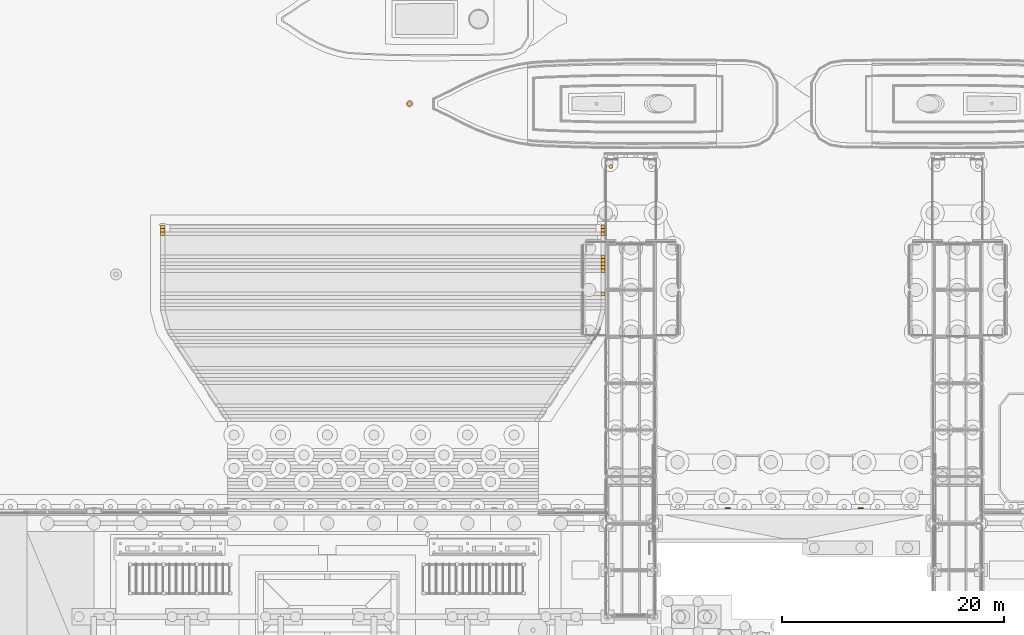
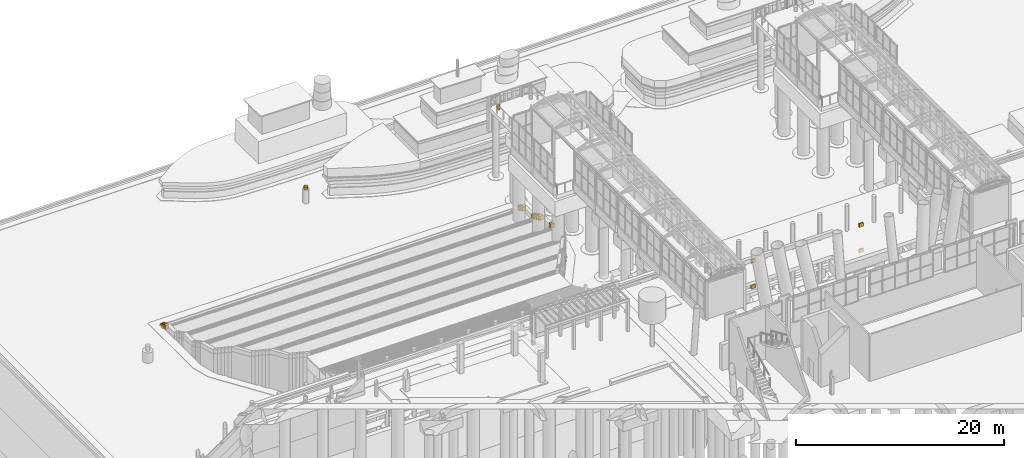
# One storey, part 213 of 222: 18 coverings.
"""IFC4 building model written with IfcOpenShell, lengths in metres."""

from ifc_helpers import new_model, si_unit, direction, frame, origin, origin_2d, place, context, subcontext, project, spatial, polyline, circle, outline, extrude, material, layer, layer_set, type_object, element, save


model = new_model("IFC4")

# Units and contexts
model_context = context("Model", 3, precision=1e-05, world=origin(), true_north=direction((0.0, 1.0)))
body_context = subcontext(model_context, "Body", "Model", "MODEL_VIEW")
ifc_project = project(units=[si_unit("LENGTHUNIT", "METRE"), si_unit("AREAUNIT", "SQUARE_METRE"), si_unit("VOLUMEUNIT", "CUBIC_METRE"), si_unit("PLANEANGLEUNIT", "RADIAN"), si_unit("MASSUNIT", "GRAM", prefix="KILO")], contexts=[model_context])

# Site, building, storey
site_placement = place(None, origin())
site = spatial("IfcSite", under=ifc_project, at=site_placement, CompositionType="ELEMENT")
building_placement = place(site_placement, origin())
building = spatial("IfcBuilding", under=site, at=building_placement, Name="Sava Quay Ferry Terminal", CompositionType="ELEMENT")
storey_placement = place(building_placement, origin())
storey = spatial("IfcBuildingStorey", under=building, at=storey_placement, Name="L00", CompositionType="ELEMENT", Elevation=0.0)

# Coverings
ifc_material_1 = material(Name="Steel S355", Category="steel")
ifc_layer_1 = layer(ifc_material_1, 0.39990234375)
ifc_layer_set_1 = layer_set([ifc_layer_1], Name="Steel S355")
covering_type_1 = type_object("IfcCoveringType", Name="Dolphin bollard 400", PredefinedType="CLADDING", material=ifc_layer_set_1)
covering_1_placement = place(storey_placement, frame((28.39990234375, 155.35009765625, -6.10009765625), z_axis=(0.0, 0.0, -1.0), x_axis=(1.0, 0.0, 0.0)))
element("IfcCovering", 1, at=covering_1_placement, inside=storey, type_object=covering_type_1, Name="Mooring bollard", PredefinedType="CLADDING", context=body_context, shape_type="SweptSolid", body=[
    extrude(circle(Radius=0.199951171875, at=origin_2d()), origin(), (0.0, 0.0, 1.0), 0.300048828125),
])
ifc_material_2 = material(Name="Cast iron")
ifc_layer_2 = layer(ifc_material_2, 0.35009765625)
ifc_layer_set_2 = layer_set([ifc_layer_2], Name="Cast iron")
covering_type_2 = type_object("IfcCoveringType", Name="Mooring bollard 350", PredefinedType="CLADDING", material=ifc_layer_set_2)
covering_2_placement = place(storey_placement, frame((46.5, 149.699951171875, 0.5), z_axis=(0.0, 0.0, -1.0), x_axis=(1.0, 0.0, 0.0)))
element("IfcCovering", 2, at=covering_2_placement, inside=storey, type_object=covering_type_2, Name="Mooring bollard", PredefinedType="CLADDING", context=body_context, shape_type="SweptSolid", body=[
    extrude(circle(Radius=0.175048828125, at=origin_2d()), origin(), (0.0, 0.0, 1.0), 0.5),
])
ifc_material_3 = material(Name="Cast iron")
ifc_layer_3 = layer(ifc_material_3, 0.1201171875)
ifc_layer_set_3 = layer_set([ifc_layer_3], Name="Cast iron")
covering_type_3 = type_object("IfcCoveringType", Name="Quay mooring ring plate", PredefinedType="CLADDING", material=ifc_layer_set_3)
for number, where, name in (
    (3, (0.0, 0.0, -6.02490234375), "Quay mooring ring plate"),
    (4, (0.0, 0.0, -3.02490234375), "Quay mooring ring plate"),
):
    element("IfcCovering", number, at=place(storey_placement, frame(where)), inside=storey, type_object=covering_type_3, Name=name, PredefinedType="CLADDING", context=body_context, shape_type="SweptSolid", body=[
        extrude(outline(polyline([(57.22509765625, 118.89990234375), (57.22509765625, 119.02001953125), (56.77490234375, 119.02001953125), (56.77490234375, 118.89990234375), (57.22509765625, 118.89990234375)])), origin(), (0.0, 0.0, 1.0), 0.449951171875),
    ])
for number, where, name in (
    (5, (0.0, 0.0, -6.02490234375), "Quay mooring ring plate"),
    (6, (0.0, 0.0, -3.02490234375), "Quay mooring ring plate"),
):
    element("IfcCovering", number, at=place(storey_placement, frame(where)), inside=storey, type_object=covering_type_3, Name=name, PredefinedType="CLADDING", context=body_context, shape_type="SweptSolid", body=[
        extrude(outline(polyline([(69.22509765625, 118.89990234375), (69.22509765625, 119.02001953125), (68.77490234375, 119.02001953125), (68.77490234375, 118.89990234375), (69.22509765625, 118.89990234375)])), origin(), (0.0, 0.0, 1.0), 0.449951171875),
    ])
ifc_material_4 = material(Name="Limestone ashlar", Category="masonry")
ifc_layer_4 = layer(ifc_material_4, 0.39990234375)
ifc_layer_set_4 = layer_set([ifc_layer_4], Name="Limestone ashlar")
covering_type_4 = type_object("IfcCoveringType", Name="Wet stair cheek wall 400", PredefinedType="CLADDING", material=ifc_layer_set_4)
covering_3_placement = place(storey_placement, frame((0.0, 0.0, -6.6591796875)))
element("IfcCovering", 7, at=covering_3_placement, inside=storey, type_object=covering_type_4, Name="Wet stair cheek wall", PredefinedType="CLADDING", context=body_context, shape_type="SweptSolid", body=[
    extrude(outline(polyline([(45.60009765625, 138.080078125), (46.0, 138.080078125), (46.0, 138.39990234375), (45.60009765625, 138.39990234375), (45.60009765625, 138.080078125)])), origin(), (0.0, 0.0, 1.0), 0.5),
])
covering_4_placement = place(storey_placement, frame((0.0, 0.0, -6.977294921875)))
element("IfcCovering", 8, at=covering_4_placement, inside=storey, type_object=covering_type_4, Name="Wet stair cheek wall", PredefinedType="CLADDING", context=body_context, shape_type="SweptSolid", body=[
    extrude(outline(polyline([(45.60009765625, 140.14990234375), (46.0, 140.14990234375), (46.0, 140.469970703125), (45.60009765625, 140.469970703125), (45.60009765625, 140.14990234375)])), origin(), (0.0, 0.0, 1.0), 0.5),
])
covering_5_placement = place(storey_placement, frame((0.0, 0.0, -7.136474609375)))
element("IfcCovering", 9, at=covering_5_placement, inside=storey, type_object=covering_type_4, Name="Wet stair cheek wall", PredefinedType="CLADDING", context=body_context, shape_type="SweptSolid", body=[
    extrude(outline(polyline([(45.60009765625, 140.469970703125), (46.0, 140.469970703125), (46.0, 140.7900390625), (45.60009765625, 140.7900390625), (45.60009765625, 140.469970703125)])), origin(), (0.0, 0.0, 1.0), 0.5),
])
covering_6_placement = place(storey_placement, frame((0.0, 0.0, -7.29541015625)))
element("IfcCovering", 10, at=covering_6_placement, inside=storey, type_object=covering_type_4, Name="Wet stair cheek wall", PredefinedType="CLADDING", context=body_context, shape_type="SweptSolid", body=[
    extrude(outline(polyline([(45.60009765625, 140.7900390625), (46.0, 140.7900390625), (46.0, 141.110107421875), (45.60009765625, 141.110107421875), (45.60009765625, 140.7900390625)])), origin(), (0.0, 0.0, 1.0), 0.5),
])
covering_7_placement = place(storey_placement, frame((0.0, 0.0, -7.45458984375)))
element("IfcCovering", 11, at=covering_7_placement, inside=storey, type_object=covering_type_4, Name="Wet stair cheek wall", PredefinedType="CLADDING", context=body_context, shape_type="SweptSolid", body=[
    extrude(outline(polyline([(45.60009765625, 141.110107421875), (46.0, 141.110107421875), (46.0, 141.429931640625), (45.60009765625, 141.429931640625), (45.60009765625, 141.110107421875)])), origin(), (0.0, 0.0, 1.0), 0.5),
])
covering_8_placement = place(storey_placement, frame((0.0, 0.0, -7.613525390625)))
element("IfcCovering", 12, at=covering_8_placement, inside=storey, type_object=covering_type_4, Name="Wet stair cheek wall", PredefinedType="CLADDING", context=body_context, shape_type="SweptSolid", body=[
    extrude(outline(polyline([(45.60009765625, 141.429931640625), (46.0, 141.429931640625), (46.0, 141.75), (45.60009765625, 141.75), (45.60009765625, 141.429931640625)])), origin(), (0.0, 0.0, 1.0), 0.5),
])
covering_9_placement = place(storey_placement, frame((0.0, 0.0, -7.931884765625)))
element("IfcCovering", 13, at=covering_9_placement, inside=storey, type_object=covering_type_4, Name="Wet stair cheek wall", PredefinedType="CLADDING", context=body_context, shape_type="SweptSolid", body=[
    extrude(outline(polyline([(6.0, 143.5), (6.39990234375, 143.5), (6.39990234375, 143.820068359375), (6.0, 143.820068359375), (6.0, 143.5)])), origin(), (0.0, 0.0, 1.0), 0.5),
])
covering_10_placement = place(storey_placement, frame((0.0, 0.0, -7.931884765625)))
element("IfcCovering", 14, at=covering_10_placement, inside=storey, type_object=covering_type_4, Name="Wet stair cheek wall", PredefinedType="CLADDING", context=body_context, shape_type="SweptSolid", body=[
    extrude(outline(polyline([(45.60009765625, 143.5), (46.0, 143.5), (46.0, 143.820068359375), (45.60009765625, 143.820068359375), (45.60009765625, 143.5)])), origin(), (0.0, 0.0, 1.0), 0.5),
])
covering_11_placement = place(storey_placement, frame((0.0, 0.0, -8.0908203125)))
element("IfcCovering", 15, at=covering_11_placement, inside=storey, type_object=covering_type_4, Name="Wet stair cheek wall", PredefinedType="CLADDING", context=body_context, shape_type="SweptSolid", body=[
    extrude(outline(polyline([(6.0, 143.820068359375), (6.39990234375, 143.820068359375), (6.39990234375, 144.139892578125), (6.0, 144.139892578125), (6.0, 143.820068359375)])), origin(), (0.0, 0.0, 1.0), 0.5),
])
covering_12_placement = place(storey_placement, frame((0.0, 0.0, -8.0908203125)))
element("IfcCovering", 16, at=covering_12_placement, inside=storey, type_object=covering_type_4, Name="Wet stair cheek wall", PredefinedType="CLADDING", context=body_context, shape_type="SweptSolid", body=[
    extrude(outline(polyline([(45.60009765625, 143.820068359375), (46.0, 143.820068359375), (46.0, 144.139892578125), (45.60009765625, 144.139892578125), (45.60009765625, 143.820068359375)])), origin(), (0.0, 0.0, 1.0), 0.5),
])
covering_13_placement = place(storey_placement, frame((0.0, 0.0, -8.25)))
element("IfcCovering", 17, at=covering_13_placement, inside=storey, type_object=covering_type_4, Name="Wet stair cheek wall", PredefinedType="CLADDING", context=body_context, shape_type="SweptSolid", body=[
    extrude(outline(polyline([(6.0, 144.139892578125), (6.39990234375, 144.139892578125), (6.39990234375, 144.4599609375), (6.0, 144.4599609375), (6.0, 144.139892578125)])), origin(), (0.0, 0.0, 1.0), 0.5),
])
covering_14_placement = place(storey_placement, frame((0.0, 0.0, -8.25)))
element("IfcCovering", 18, at=covering_14_placement, inside=storey, type_object=covering_type_4, Name="Wet stair cheek wall", PredefinedType="CLADDING", context=body_context, shape_type="SweptSolid", body=[
    extrude(outline(polyline([(45.60009765625, 144.139892578125), (46.0, 144.139892578125), (46.0, 144.4599609375), (45.60009765625, 144.4599609375), (45.60009765625, 144.139892578125)])), origin(), (0.0, 0.0, 1.0), 0.5),
])

save(model, "model.ifc")
